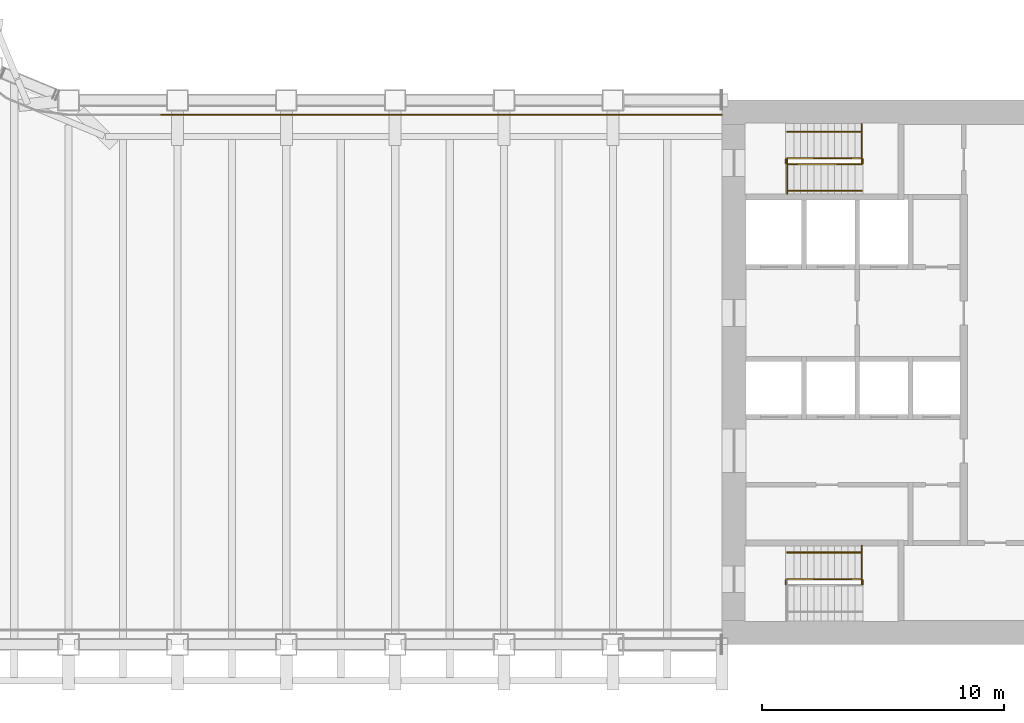
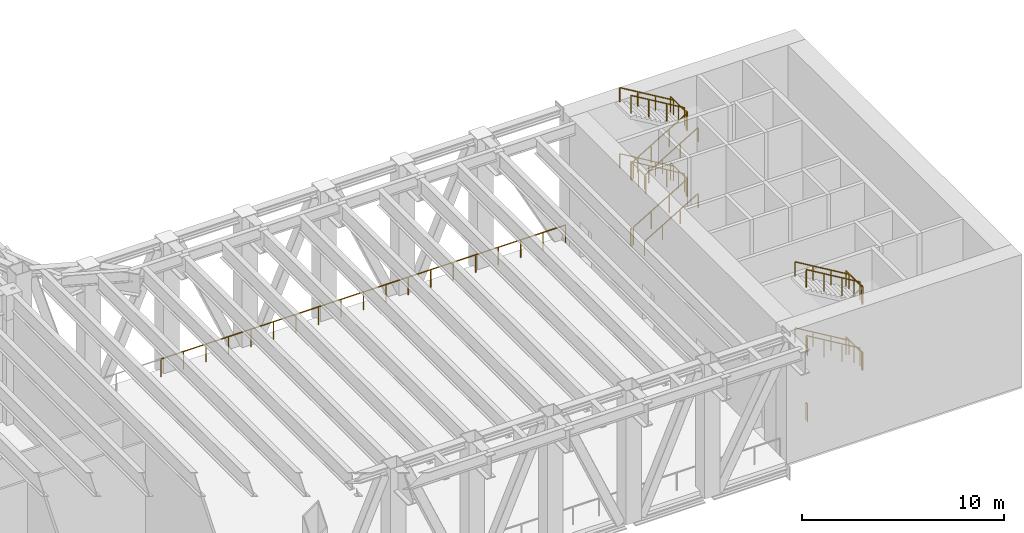
# One storey, part 15 of 16: 31 railings.
"""IFC4 building model written with IfcOpenShell, lengths in metres."""

import ifcopenshell
import ifcopenshell.guid

model = None  # the IFC model being written
_history = None  # IfcOwnerHistory: only IFC2X3 demands one
_inside = {}  # id of a spatial element -> (the spatial element, [elements in it])
_under = {}  # id of a project, library or spatial element -> (it, [spatial elements below it])
_declared = {}  # id of a project -> (the project, [libraries it declares])
_typed = {}  # id of a type object -> (the type object, [elements of that type])
_made_of = {}  # id of a material, layer set ... -> (it, [elements and type objects made of it])


def new_model(schema):
    """Start an empty IFC model of exactly this schema.

    Asked for "IFC4X3", IfcOpenShell would pick the latest addendum, in which some entities
    have other attributes; the version numbers below select the first issue.
    IFC2X3 requires an IfcOwnerHistory on every rooted entity: one is made here for all.
    """
    global model, _history
    if schema == "IFC4X3":
        model = ifcopenshell.file(schema_version=(4, 3, 0, 0))
    else:
        model = ifcopenshell.file(schema=schema)
    _inside.clear()
    _under.clear()
    _declared.clear()
    _typed.clear()
    _made_of.clear()
    _history = None
    if model.schema == "IFC2X3":
        org = make("IfcOrganization", Name="unknown")
        user = make(
            "IfcPersonAndOrganization",
            ThePerson=make("IfcPerson", FamilyName="unknown"),
            TheOrganization=org,
        )
        app = make(
            "IfcApplication",
            ApplicationDeveloper=org,
            Version="unknown",
            ApplicationFullName="unknown",
            ApplicationIdentifier="unknown",
        )
        _history = make(
            "IfcOwnerHistory",
            OwningUser=user,
            OwningApplication=app,
            ChangeAction="ADDED",
            CreationDate=0,
        )
    return model


def make(cls, **values):
    """One entity of the class cls with the attributes given. An attribute that is None is left unset."""
    return model.create_entity(
        cls, **{name: value for name, value in values.items() if value is not None}
    )


def rooted(cls, **values):
    """An entity with a GlobalId (a new one), such as an element, a storey or a relation."""
    return make(cls, GlobalId=ifcopenshell.guid.new(), OwnerHistory=_history, **values)


def si_unit(unit_type, name, prefix=None):
    """IfcSIUnit, for example si_unit("LENGTHUNIT", "METRE", prefix="MILLI")."""
    return make("IfcSIUnit", UnitType=unit_type, Prefix=prefix, Name=name)


def assignment(units):
    """IfcUnitAssignment: the units of a project."""
    return None if units is None else make("IfcUnitAssignment", Units=units)


def point(xyz):
    """IfcCartesianPoint."""
    return None if xyz is None else make("IfcCartesianPoint", Coordinates=xyz)


def direction(xyz):
    """IfcDirection."""
    return None if xyz is None else make("IfcDirection", DirectionRatios=xyz)


def frame(location, z_axis=None, x_axis=None):
    """IfcAxis2Placement3D, a coordinate frame: its origin and axes. An axis left out is left unset."""
    return make(
        "IfcAxis2Placement3D",
        Location=point(location),
        Axis=direction(z_axis),
        RefDirection=direction(x_axis),
    )


def frame_2d(location, x_axis=None):
    """IfcAxis2Placement2D, a coordinate frame in the plane: its origin and x axis."""
    return make(
        "IfcAxis2Placement2D", Location=point(location), RefDirection=direction(x_axis)
    )


def origin():
    """The frame at (0, 0, 0) with its axes left unset."""
    return frame((0.0, 0.0, 0.0))


def origin_2d():
    """The frame at (0, 0) in the plane with its x axis left unset."""
    return frame_2d((0.0, 0.0))


def place(relative_to, where):
    """IfcLocalPlacement: puts the frame where relative to a parent placement (None: the world)."""
    return make(
        "IfcLocalPlacement", PlacementRelTo=relative_to, RelativePlacement=where
    )


def context(
    kind, dimensions, precision=None, world=None, true_north=None, identifier=None
):
    """IfcGeometricRepresentationContext, for example the 3D "Model" context."""
    return make(
        "IfcGeometricRepresentationContext",
        ContextIdentifier=identifier,
        ContextType=kind,
        CoordinateSpaceDimension=dimensions,
        Precision=precision,
        WorldCoordinateSystem=world,
        TrueNorth=true_north,
    )


def subcontext(parent, identifier, kind, view, scale=None):
    """IfcGeometricRepresentationSubContext, for example "Body" below "Model"."""
    return make(
        "IfcGeometricRepresentationSubContext",
        ContextIdentifier=identifier,
        ContextType=kind,
        ParentContext=parent,
        TargetScale=scale,
        TargetView=view,
    )


def project(units=None, contexts=None):
    """IfcProject with its units and contexts."""
    return rooted(
        "IfcProject",
        Name="project",
        RepresentationContexts=contexts,
        UnitsInContext=assignment(units),
    )


def spatial(cls, under=None, at=None, **own):
    """A site, building, storey or space (cls), placed at a placement, below another one or the project."""
    s = rooted(cls, ObjectPlacement=at, **own)
    if under is not None:
        _under.setdefault(under.id(), (under, []))[1].append(s)
    return s


def profile(cls, at=None, kind="AREA", **sizes):
    """A parametric profile (cls). Its sizes go by their IFC names, for example OverallWidth=200.0."""
    return make(cls, ProfileType=kind, Position=at, **sizes)


def rectangle(**sizes):
    """IfcRectangleProfileDef."""
    return profile("IfcRectangleProfileDef", **sizes)


def extrude(swept, where, along, depth):
    """IfcExtrudedAreaSolid: the profile swept, set in the frame where, extruded along a direction by depth."""
    return make(
        "IfcExtrudedAreaSolid",
        SweptArea=swept,
        Position=where,
        ExtrudedDirection=direction(along),
        Depth=depth,
    )


def shape(context_of_items, identifier, shape_type, items):
    """IfcShapeRepresentation: the items that make up one representation, for example the "Body"."""
    return make(
        "IfcShapeRepresentation",
        ContextOfItems=context_of_items,
        RepresentationIdentifier=identifier,
        RepresentationType=shape_type,
        Items=items,
    )


def material(Name=None, Category=None):
    """IfcMaterial."""
    return make("IfcMaterial", Name=Name, Category=Category)


def made_of(thing, what):
    """Note that an element or type object is made of a material, layer set ...; save() writes the relation."""
    if what is not None:
        _made_of.setdefault(what.id(), (what, []))[1].append(thing)
    return thing


def type_object(cls, material=None, **own):
    """A type object (cls), such as IfcWallType, which elements share."""
    return made_of(rooted(cls, **own), material)


def element(
    cls,
    number,
    at=None,
    inside=None,
    cuts=None,
    type_object=None,
    material=None,
    context=None,
    identifier="Body",
    shape_type=None,
    held_by="IfcProductDefinitionShape",
    body=None,
    shapes=None,
    **own,
):
    """One element of the class cls, such as IfcWall. Its Tag is "e" and its number.

    at: its placement. inside: the storey or other place that contains it. cuts: it is an
    opening in that element (IfcRelVoidsElement). A single representation is given by context,
    identifier, shape_type and body (its items); several are given by shapes. held_by: the class
    of the entity that holds the representations. save() writes the other relations.
    """
    e = rooted(cls, Tag="e%d" % number, ObjectPlacement=at, **own)
    if body is not None:
        shapes = [shape(context, identifier, shape_type, body)]
    if shapes is not None:
        e.Representation = make(held_by, Representations=shapes)
    if inside is not None:
        _inside.setdefault(inside.id(), (inside, []))[1].append(e)
    if cuts is not None:
        rooted(
            "IfcRelVoidsElement", RelatingBuildingElement=cuts, RelatedOpeningElement=e
        )
    if type_object is not None:
        _typed.setdefault(type_object.id(), (type_object, []))[1].append(e)
    return made_of(e, material)


def aggregate(whole, parts):
    """IfcRelAggregates: a whole, such as a stair, and the parts it consists of."""
    return rooted("IfcRelAggregates", RelatingObject=whole, RelatedObjects=parts)


def save(model, path):
    """Write the relations noted so far, then the file.

    IfcRelAggregates (storeys below a building ...), IfcRelContainedInSpatialStructure (elements
    in a storey), IfcRelDefinesByType, IfcRelAssociatesMaterial and IfcRelDeclares: one each for
    every whole, place, type object, material and project.
    """
    for whole, parts in _under.values():
        aggregate(whole, parts)
    for where, things in _inside.values():
        rooted(
            "IfcRelContainedInSpatialStructure",
            RelatedElements=things,
            RelatingStructure=where,
        )
    for kind, things in _typed.values():
        rooted("IfcRelDefinesByType", RelatedObjects=things, RelatingType=kind)
    for what, things in _made_of.values():
        rooted("IfcRelAssociatesMaterial", RelatedObjects=things, RelatingMaterial=what)
    for by, libraries in _declared.values():
        rooted("IfcRelDeclares", RelatingContext=by, RelatedDefinitions=libraries)
    model.write(path)


model = new_model("IFC4")

# Units and contexts
model_context = context("Model", 3, precision=1e-05, world=origin(), true_north=direction((0.0, 1.0)))
body_context = subcontext(model_context, "Body", "Model", "MODEL_VIEW")
ifc_project = project(units=[si_unit("LENGTHUNIT", "METRE"), si_unit("AREAUNIT", "SQUARE_METRE"), si_unit("VOLUMEUNIT", "CUBIC_METRE"), si_unit("PLANEANGLEUNIT", "RADIAN"), si_unit("MASSUNIT", "GRAM", prefix="KILO")], contexts=[model_context])

# Site, building, storey
site_placement = place(None, origin())
site = spatial("IfcSite", under=ifc_project, at=site_placement, CompositionType="ELEMENT")
building_placement = place(site_placement, origin())
building = spatial("IfcBuilding", under=site, at=building_placement, Name="Sennacour Bend Tower", CompositionType="ELEMENT")
storey_placement = place(building_placement, frame((0.0, 0.0, 187.0)))
storey = spatial("IfcBuildingStorey", under=building, at=storey_placement, Name="L43", CompositionType="ELEMENT", Elevation=187.0)

# Railings
ifc_material_1 = material(Name="Stainless steel 316", Category="steel")
railing_type_1 = type_object("IfcRailingType", Name="GUARD 1100", PredefinedType="GUARDRAIL", material=ifc_material_1)
railing_1_placement = place(storey_placement, frame((30.8232421875, 21.89990234375, 0.0)))
element("IfcRailing", 1, at=railing_1_placement, inside=storey, type_object=railing_type_1, Name="Guard L43", PredefinedType="GUARDRAIL", context=body_context, shape_type="SweptSolid", body=[
    extrude(rectangle(XDim=0.048095703125, YDim=0.048095703125, at=origin_2d()), frame((0.0, 0.0, 1.076171875), z_axis=(1.0, 0.0, 0.0), x_axis=(0.0, 1.0, 0.0)), (0.0, 0.0, 1.0), 3.862548828125),
    extrude(rectangle(XDim=0.0419921875, YDim=0.0419921875, at=origin_2d()), origin(), (0.0, 0.0, 1.0), 1.052001953125),
    extrude(rectangle(XDim=0.0419921875, YDim=0.0419921875, at=origin_2d()), frame((1.28759765625, 0.0, 0.0)), (0.0, 0.0, 1.0), 1.052001953125),
    extrude(rectangle(XDim=0.0419921875, YDim=0.0419921875, at=origin_2d()), frame((2.574951171875, 0.0, 0.0)), (0.0, 0.0, 1.0), 1.052001953125),
    extrude(rectangle(XDim=0.0419921875, YDim=0.0419921875, at=origin_2d()), frame((3.862548828125, 0.0, 0.0)), (0.0, 0.0, 1.0), 1.052001953125),
])
railing_2_placement = place(storey_placement, frame((34.685791015625, 21.89990234375, 0.0)))
element("IfcRailing", 2, at=railing_2_placement, inside=storey, type_object=railing_type_1, Name="Guard L43", PredefinedType="GUARDRAIL", context=body_context, shape_type="SweptSolid", body=[
    extrude(rectangle(XDim=0.048095703125, YDim=0.048095703125, at=origin_2d()), frame((0.0, 0.0, 1.076171875), z_axis=(1.0, 0.0, 0.0), x_axis=(0.0, 1.0, 0.0)), (0.0, 0.0, 1.0), 3.86279296875),
    extrude(rectangle(XDim=0.0419921875, YDim=0.0419921875, at=origin_2d()), origin(), (0.0, 0.0, 1.0), 1.052001953125),
    extrude(rectangle(XDim=0.0419921875, YDim=0.0419921875, at=origin_2d()), frame((1.28759765625, 0.0, 0.0)), (0.0, 0.0, 1.0), 1.052001953125),
    extrude(rectangle(XDim=0.0419921875, YDim=0.0419921875, at=origin_2d()), frame((2.5751953125, 0.0, 0.0)), (0.0, 0.0, 1.0), 1.052001953125),
    extrude(rectangle(XDim=0.0419921875, YDim=0.0419921875, at=origin_2d()), frame((3.86279296875, 0.0, 0.0)), (0.0, 0.0, 1.0), 1.052001953125),
])
for number, where, name in (
    (3, (38.548583984375, 21.89990234375, 0.0), "Guard L43"),
    (4, (42.4111328125, 21.89990234375, 0.0), "Guard L43"),
):
    element("IfcRailing", number, at=place(storey_placement, frame(where)), inside=storey, type_object=railing_type_1, Name=name, PredefinedType="GUARDRAIL", context=body_context, shape_type="SweptSolid", body=[
        extrude(rectangle(XDim=0.048095703125, YDim=0.048095703125, at=origin_2d()), frame((0.0, 0.0, 1.076171875), z_axis=(1.0, 0.0, 0.0), x_axis=(0.0, 1.0, 0.0)), (0.0, 0.0, 1.0), 3.862548828125),
        extrude(rectangle(XDim=0.0419921875, YDim=0.0419921875, at=origin_2d()), origin(), (0.0, 0.0, 1.0), 1.052001953125),
        extrude(rectangle(XDim=0.0419921875, YDim=0.0419921875, at=origin_2d()), frame((1.28759765625, 0.0, 0.0)), (0.0, 0.0, 1.0), 1.052001953125),
        extrude(rectangle(XDim=0.0419921875, YDim=0.0419921875, at=origin_2d()), frame((2.574951171875, 0.0, 0.0)), (0.0, 0.0, 1.0), 1.052001953125),
        extrude(rectangle(XDim=0.0419921875, YDim=0.0419921875, at=origin_2d()), frame((3.862548828125, 0.0, 0.0)), (0.0, 0.0, 1.0), 1.052001953125),
    ])
railing_3_placement = place(storey_placement, frame((46.273681640625, 21.89990234375, 0.0)))
element("IfcRailing", 5, at=railing_3_placement, inside=storey, type_object=railing_type_1, Name="Guard L43", PredefinedType="GUARDRAIL", context=body_context, shape_type="SweptSolid", body=[
    extrude(rectangle(XDim=0.048095703125, YDim=0.048095703125, at=origin_2d()), frame((0.0, 0.0, 1.076171875), z_axis=(1.0, 0.0, 0.0), x_axis=(0.0, 1.0, 0.0)), (0.0, 0.0, 1.0), 3.86279296875),
    extrude(rectangle(XDim=0.0419921875, YDim=0.0419921875, at=origin_2d()), origin(), (0.0, 0.0, 1.0), 1.052001953125),
    extrude(rectangle(XDim=0.0419921875, YDim=0.0419921875, at=origin_2d()), frame((1.28759765625, 0.0, 0.0)), (0.0, 0.0, 1.0), 1.052001953125),
    extrude(rectangle(XDim=0.0419921875, YDim=0.0419921875, at=origin_2d()), frame((2.5751953125, 0.0, 0.0)), (0.0, 0.0, 1.0), 1.052001953125),
    extrude(rectangle(XDim=0.0419921875, YDim=0.0419921875, at=origin_2d()), frame((3.86279296875, 0.0, 0.0)), (0.0, 0.0, 1.0), 1.052001953125),
])
railing_4_placement = place(storey_placement, frame((50.136474609375, 21.89990234375, 0.0)))
element("IfcRailing", 6, at=railing_4_placement, inside=storey, type_object=railing_type_1, Name="Guard L43", PredefinedType="GUARDRAIL", context=body_context, shape_type="SweptSolid", body=[
    extrude(rectangle(XDim=0.048095703125, YDim=0.048095703125, at=origin_2d()), frame((0.0, 0.0, 1.076171875), z_axis=(1.0, 0.0, 0.0), x_axis=(0.0, 1.0, 0.0)), (0.0, 0.0, 1.0), 3.862548828125),
    extrude(rectangle(XDim=0.0419921875, YDim=0.0419921875, at=origin_2d()), origin(), (0.0, 0.0, 1.0), 1.052001953125),
    extrude(rectangle(XDim=0.0419921875, YDim=0.0419921875, at=origin_2d()), frame((1.28759765625, 0.0, 0.0)), (0.0, 0.0, 1.0), 1.052001953125),
    extrude(rectangle(XDim=0.0419921875, YDim=0.0419921875, at=origin_2d()), frame((2.574951171875, 0.0, 0.0)), (0.0, 0.0, 1.0), 1.052001953125),
    extrude(rectangle(XDim=0.0419921875, YDim=0.0419921875, at=origin_2d()), frame((3.862548828125, 0.0, 0.0)), (0.0, 0.0, 1.0), 1.052001953125),
])
ifc_material_2 = material(Name="Stainless steel", Category="steel")
railing_type_2 = type_object("IfcRailingType", Name="RL-GUARD-1100", PredefinedType="GUARDRAIL", material=ifc_material_2)
railing_5_placement = place(storey_placement, frame((59.830078125, 2.5, 2.0)))
element("IfcRailing", 7, at=railing_5_placement, inside=storey, type_object=railing_type_2, Name="L43 SA1 stair guard 2", PredefinedType="GUARDRAIL", context=body_context, shape_type="SweptSolid", body=[
    extrude(rectangle(XDim=0.048095703125, YDim=0.048095703125, at=origin_2d()), frame((0.0, 0.0, 1.076171875), z_axis=(0.0, 1.0, 0.0), x_axis=(-1.0, 0.0, 0.0)), (0.0, 0.0, 1.0), 0.14990234375),
    extrude(rectangle(XDim=0.0419921875, YDim=0.0419921875, at=origin_2d()), origin(), (0.0, 0.0, 1.0), 1.052001953125),
    extrude(rectangle(XDim=0.0419921875, YDim=0.0419921875, at=origin_2d()), frame((0.0, 0.14990234375, 0.0)), (0.0, 0.0, 1.0), 1.052001953125),
])
railing_6_placement = place(storey_placement, frame((59.780029296875, 2.699951171875, 2.166748046875)))
element("IfcRailing", 8, at=railing_6_placement, inside=storey, type_object=railing_type_2, Name="L43 SA1 stair guard 4", PredefinedType="GUARDRAIL", context=body_context, shape_type="SweptSolid", body=[
    extrude(rectangle(XDim=0.048095703125, YDim=0.048095703125, at=origin_2d()), frame((0.0, 0.0, 1.076171875), z_axis=(-0.859308565015, 0.0, 0.511457515432), x_axis=(0.0, -1.0, 0.0)), (0.0, 0.0, 1.0), 3.58447265625),
    extrude(rectangle(XDim=0.0419921875, YDim=0.0419921875, at=origin_2d()), origin(), (0.0, 0.0, 1.0), 1.052001953125),
    extrude(rectangle(XDim=0.0419921875, YDim=0.0419921875, at=origin_2d()), frame((-1.026611328125, 0.0, 0.611083984375)), (0.0, 0.0, 1.0), 1.052001953125),
    extrude(rectangle(XDim=0.0419921875, YDim=0.0419921875, at=origin_2d()), frame((-2.053466796875, 0.0, 1.22216796875)), (0.0, 0.0, 1.0), 1.052001953125),
    extrude(rectangle(XDim=0.0419921875, YDim=0.0419921875, at=origin_2d()), frame((-3.080078125, 0.0, 1.833251953125)), (0.0, 0.0, 1.0), 1.052001953125),
])
for number, where, name in (
    (9, (56.64990234375, 2.5, 4.0), "L43 SA1 stair guard 5"),
    (10, (59.830078125, 2.5, 6.0), "L43 SA1 stair guard 9"),
):
    element("IfcRailing", number, at=place(storey_placement, frame(where)), inside=storey, type_object=railing_type_2, Name=name, PredefinedType="GUARDRAIL", context=body_context, shape_type="SweptSolid", body=[
        extrude(rectangle(XDim=0.048095703125, YDim=0.048095703125, at=origin_2d()), frame((0.0, 0.0, 1.076171875), z_axis=(0.0, 1.0, 0.0), x_axis=(-1.0, 0.0, 0.0)), (0.0, 0.0, 1.0), 0.14990234375),
        extrude(rectangle(XDim=0.0419921875, YDim=0.0419921875, at=origin_2d()), origin(), (0.0, 0.0, 1.0), 1.052001953125),
        extrude(rectangle(XDim=0.0419921875, YDim=0.0419921875, at=origin_2d()), frame((0.0, 0.14990234375, 0.0)), (0.0, 0.0, 1.0), 1.052001953125),
    ])
railing_7_placement = place(storey_placement, frame((59.780029296875, 2.699951171875, 6.166748046875)))
element("IfcRailing", 11, at=railing_7_placement, inside=storey, type_object=railing_type_2, Name="L43 SA1 stair guard 11", PredefinedType="GUARDRAIL", context=body_context, shape_type="SweptSolid", body=[
    extrude(rectangle(XDim=0.048095703125, YDim=0.048095703125, at=origin_2d()), frame((0.0, 0.0, 1.076171875), z_axis=(-0.859308565015, 0.0, 0.511457515432), x_axis=(0.0, -1.0, 0.0)), (0.0, 0.0, 1.0), 3.58447265625),
    extrude(rectangle(XDim=0.0419921875, YDim=0.0419921875, at=origin_2d()), origin(), (0.0, 0.0, 1.0), 1.052001953125),
    extrude(rectangle(XDim=0.0419921875, YDim=0.0419921875, at=origin_2d()), frame((-1.026611328125, 0.0, 0.611083984375)), (0.0, 0.0, 1.0), 1.052001953125),
    extrude(rectangle(XDim=0.0419921875, YDim=0.0419921875, at=origin_2d()), frame((-2.053466796875, 0.0, 1.22216796875)), (0.0, 0.0, 1.0), 1.052001953125),
    extrude(rectangle(XDim=0.0419921875, YDim=0.0419921875, at=origin_2d()), frame((-3.080078125, 0.0, 1.833251953125)), (0.0, 0.0, 1.0), 1.052001953125),
])
railing_8_placement = place(storey_placement, frame((56.64990234375, 2.5, 0.0)))
element("IfcRailing", 12, at=railing_8_placement, inside=storey, type_object=railing_type_2, Name="L43 SA1 stair guard 12", PredefinedType="GUARDRAIL", context=body_context, shape_type="SweptSolid", body=[
    extrude(rectangle(XDim=0.048095703125, YDim=0.048095703125, at=origin_2d()), frame((0.0, 0.0, 1.076171875), z_axis=(0.0, 1.0, 0.0), x_axis=(-1.0, 0.0, 0.0)), (0.0, 0.0, 1.0), 0.14990234375),
    extrude(rectangle(XDim=0.0419921875, YDim=0.0419921875, at=origin_2d()), origin(), (0.0, 0.0, 1.0), 1.052001953125),
    extrude(rectangle(XDim=0.0419921875, YDim=0.0419921875, at=origin_2d()), frame((0.0, 0.14990234375, 0.0)), (0.0, 0.0, 1.0), 1.052001953125),
])
for number, where, name in (
    (13, (59.780029296875, 2.5, 2.0), "L43 SA1 landing edge guard 63"),
    (14, (59.780029296875, 2.5, 6.0), "L43 SA1 landing edge guard 65"),
):
    element("IfcRailing", number, at=place(storey_placement, frame(where)), inside=storey, type_object=railing_type_2, Name=name, PredefinedType="GUARDRAIL", context=body_context, shape_type="SweptSolid", body=[
        extrude(rectangle(XDim=0.048095703125, YDim=0.048095703125, at=origin_2d()), frame((0.0, 0.0, 1.076171875), z_axis=(0.0, 1.0, 0.0), x_axis=(-1.0, 0.0, 0.0)), (0.0, 0.0, 1.0), 1.574951171875),
        extrude(rectangle(XDim=0.0419921875, YDim=0.0419921875, at=origin_2d()), origin(), (0.0, 0.0, 1.0), 1.052001953125),
        extrude(rectangle(XDim=0.0419921875, YDim=0.0419921875, at=origin_2d()), frame((0.0, 0.78759765625, 0.0)), (0.0, 0.0, 1.0), 1.052001953125),
        extrude(rectangle(XDim=0.0419921875, YDim=0.0419921875, at=origin_2d()), frame((0.0, 1.574951171875, 0.0)), (0.0, 0.0, 1.0), 1.052001953125),
    ])
railing_9_placement = place(storey_placement, frame((56.699951171875, 19.85009765625, 0.166748046875)))
element("IfcRailing", 15, at=railing_9_placement, inside=storey, type_object=railing_type_2, Name="L43 SA2 stair guard 1", PredefinedType="GUARDRAIL", context=body_context, shape_type="SweptSolid", body=[
    extrude(rectangle(XDim=0.048095703125, YDim=0.048095703125, at=origin_2d()), frame((0.0, 0.0, 1.076171875), z_axis=(0.859308565015, 0.0, 0.511457515432), x_axis=(0.0, 1.0, 0.0)), (0.0, 0.0, 1.0), 3.58447265625),
    extrude(rectangle(XDim=0.0419921875, YDim=0.0419921875, at=origin_2d()), origin(), (0.0, 0.0, 1.0), 1.052001953125),
    extrude(rectangle(XDim=0.0419921875, YDim=0.0419921875, at=origin_2d()), frame((1.026611328125, 0.0, 0.611083984375)), (0.0, 0.0, 1.0), 1.052001953125),
    extrude(rectangle(XDim=0.0419921875, YDim=0.0419921875, at=origin_2d()), frame((2.053466796875, 0.0, 1.22216796875)), (0.0, 0.0, 1.0), 1.052001953125),
    extrude(rectangle(XDim=0.0419921875, YDim=0.0419921875, at=origin_2d()), frame((3.080078125, 0.0, 1.833251953125)), (0.0, 0.0, 1.0), 1.052001953125),
])
railing_10_placement = place(storey_placement, frame((59.830078125, 19.89990234375, 2.0)))
element("IfcRailing", 16, at=railing_10_placement, inside=storey, type_object=railing_type_2, Name="L43 SA2 stair guard 2", PredefinedType="GUARDRAIL", context=body_context, shape_type="SweptSolid", body=[
    extrude(rectangle(XDim=0.048095703125, YDim=0.048095703125, at=origin_2d()), frame((0.0, 0.0, 1.076171875), z_axis=(0.0, 1.0, 0.0), x_axis=(-1.0, 0.0, 0.0)), (0.0, 0.0, 1.0), 0.150146484375),
    extrude(rectangle(XDim=0.0419921875, YDim=0.0419921875, at=origin_2d()), origin(), (0.0, 0.0, 1.0), 1.052001953125),
    extrude(rectangle(XDim=0.0419921875, YDim=0.0419921875, at=origin_2d()), frame((0.0, 0.150146484375, 0.0)), (0.0, 0.0, 1.0), 1.052001953125),
])
railing_11_placement = place(storey_placement, frame((59.780029296875, 20.10009765625, 2.166748046875)))
element("IfcRailing", 17, at=railing_11_placement, inside=storey, type_object=railing_type_2, Name="L43 SA2 stair guard 4", PredefinedType="GUARDRAIL", context=body_context, shape_type="SweptSolid", body=[
    extrude(rectangle(XDim=0.048095703125, YDim=0.048095703125, at=origin_2d()), frame((0.0, 0.0, 1.076171875), z_axis=(-0.859308565015, 0.0, 0.511457515432), x_axis=(0.0, -1.0, 0.0)), (0.0, 0.0, 1.0), 3.58447265625),
    extrude(rectangle(XDim=0.0419921875, YDim=0.0419921875, at=origin_2d()), origin(), (0.0, 0.0, 1.0), 1.052001953125),
    extrude(rectangle(XDim=0.0419921875, YDim=0.0419921875, at=origin_2d()), frame((-1.026611328125, 0.0, 0.611083984375)), (0.0, 0.0, 1.0), 1.052001953125),
    extrude(rectangle(XDim=0.0419921875, YDim=0.0419921875, at=origin_2d()), frame((-2.053466796875, 0.0, 1.22216796875)), (0.0, 0.0, 1.0), 1.052001953125),
    extrude(rectangle(XDim=0.0419921875, YDim=0.0419921875, at=origin_2d()), frame((-3.080078125, 0.0, 1.833251953125)), (0.0, 0.0, 1.0), 1.052001953125),
])
railing_12_placement = place(storey_placement, frame((56.64990234375, 19.89990234375, 4.0)))
element("IfcRailing", 18, at=railing_12_placement, inside=storey, type_object=railing_type_2, Name="L43 SA2 stair guard 5", PredefinedType="GUARDRAIL", context=body_context, shape_type="SweptSolid", body=[
    extrude(rectangle(XDim=0.048095703125, YDim=0.048095703125, at=origin_2d()), frame((0.0, 0.0, 1.076171875), z_axis=(0.0, 1.0, 0.0), x_axis=(-1.0, 0.0, 0.0)), (0.0, 0.0, 1.0), 0.150146484375),
    extrude(rectangle(XDim=0.0419921875, YDim=0.0419921875, at=origin_2d()), origin(), (0.0, 0.0, 1.0), 1.052001953125),
    extrude(rectangle(XDim=0.0419921875, YDim=0.0419921875, at=origin_2d()), frame((0.0, 0.150146484375, 0.0)), (0.0, 0.0, 1.0), 1.052001953125),
])
railing_13_placement = place(storey_placement, frame((56.699951171875, 19.85009765625, 4.166748046875)))
element("IfcRailing", 19, at=railing_13_placement, inside=storey, type_object=railing_type_2, Name="L43 SA2 stair guard 8", PredefinedType="GUARDRAIL", context=body_context, shape_type="SweptSolid", body=[
    extrude(rectangle(XDim=0.048095703125, YDim=0.048095703125, at=origin_2d()), frame((0.0, 0.0, 1.076171875), z_axis=(0.859308565015, 0.0, 0.511457515432), x_axis=(0.0, 1.0, 0.0)), (0.0, 0.0, 1.0), 3.58447265625),
    extrude(rectangle(XDim=0.0419921875, YDim=0.0419921875, at=origin_2d()), origin(), (0.0, 0.0, 1.0), 1.052001953125),
    extrude(rectangle(XDim=0.0419921875, YDim=0.0419921875, at=origin_2d()), frame((1.026611328125, 0.0, 0.611083984375)), (0.0, 0.0, 1.0), 1.052001953125),
    extrude(rectangle(XDim=0.0419921875, YDim=0.0419921875, at=origin_2d()), frame((2.053466796875, 0.0, 1.22216796875)), (0.0, 0.0, 1.0), 1.052001953125),
    extrude(rectangle(XDim=0.0419921875, YDim=0.0419921875, at=origin_2d()), frame((3.080078125, 0.0, 1.833251953125)), (0.0, 0.0, 1.0), 1.052001953125),
])
railing_14_placement = place(storey_placement, frame((59.830078125, 19.89990234375, 6.0)))
element("IfcRailing", 20, at=railing_14_placement, inside=storey, type_object=railing_type_2, Name="L43 SA2 stair guard 9", PredefinedType="GUARDRAIL", context=body_context, shape_type="SweptSolid", body=[
    extrude(rectangle(XDim=0.048095703125, YDim=0.048095703125, at=origin_2d()), frame((0.0, 0.0, 1.076171875), z_axis=(0.0, 1.0, 0.0), x_axis=(-1.0, 0.0, 0.0)), (0.0, 0.0, 1.0), 0.150146484375),
    extrude(rectangle(XDim=0.0419921875, YDim=0.0419921875, at=origin_2d()), origin(), (0.0, 0.0, 1.0), 1.052001953125),
    extrude(rectangle(XDim=0.0419921875, YDim=0.0419921875, at=origin_2d()), frame((0.0, 0.150146484375, 0.0)), (0.0, 0.0, 1.0), 1.052001953125),
])
railing_15_placement = place(storey_placement, frame((59.780029296875, 20.10009765625, 6.166748046875)))
element("IfcRailing", 21, at=railing_15_placement, inside=storey, type_object=railing_type_2, Name="L43 SA2 stair guard 11", PredefinedType="GUARDRAIL", context=body_context, shape_type="SweptSolid", body=[
    extrude(rectangle(XDim=0.048095703125, YDim=0.048095703125, at=origin_2d()), frame((0.0, 0.0, 1.076171875), z_axis=(-0.859308565015, 0.0, 0.511457515432), x_axis=(0.0, -1.0, 0.0)), (0.0, 0.0, 1.0), 3.58447265625),
    extrude(rectangle(XDim=0.0419921875, YDim=0.0419921875, at=origin_2d()), origin(), (0.0, 0.0, 1.0), 1.052001953125),
    extrude(rectangle(XDim=0.0419921875, YDim=0.0419921875, at=origin_2d()), frame((-1.026611328125, 0.0, 0.611083984375)), (0.0, 0.0, 1.0), 1.052001953125),
    extrude(rectangle(XDim=0.0419921875, YDim=0.0419921875, at=origin_2d()), frame((-2.053466796875, 0.0, 1.22216796875)), (0.0, 0.0, 1.0), 1.052001953125),
    extrude(rectangle(XDim=0.0419921875, YDim=0.0419921875, at=origin_2d()), frame((-3.080078125, 0.0, 1.833251953125)), (0.0, 0.0, 1.0), 1.052001953125),
])
railing_16_placement = place(storey_placement, frame((56.64990234375, 19.89990234375, 0.0)))
element("IfcRailing", 22, at=railing_16_placement, inside=storey, type_object=railing_type_2, Name="L43 SA2 stair guard 12", PredefinedType="GUARDRAIL", context=body_context, shape_type="SweptSolid", body=[
    extrude(rectangle(XDim=0.048095703125, YDim=0.048095703125, at=origin_2d()), frame((0.0, 0.0, 1.076171875), z_axis=(0.0, 1.0, 0.0), x_axis=(-1.0, 0.0, 0.0)), (0.0, 0.0, 1.0), 0.150146484375),
    extrude(rectangle(XDim=0.0419921875, YDim=0.0419921875, at=origin_2d()), origin(), (0.0, 0.0, 1.0), 1.052001953125),
    extrude(rectangle(XDim=0.0419921875, YDim=0.0419921875, at=origin_2d()), frame((0.0, 0.150146484375, 0.0)), (0.0, 0.0, 1.0), 1.052001953125),
])
railing_17_placement = place(storey_placement, frame((59.780029296875, 19.89990234375, 2.0)))
element("IfcRailing", 23, at=railing_17_placement, inside=storey, type_object=railing_type_2, Name="L43 SA2 landing edge guard 58", PredefinedType="GUARDRAIL", context=body_context, shape_type="SweptSolid", body=[
    extrude(rectangle(XDim=0.048095703125, YDim=0.048095703125, at=origin_2d()), frame((0.0, 0.0, 1.076171875), z_axis=(0.0, 1.0, 0.0), x_axis=(-1.0, 0.0, 0.0)), (0.0, 0.0, 1.0), 1.60009765625),
    extrude(rectangle(XDim=0.0419921875, YDim=0.0419921875, at=origin_2d()), origin(), (0.0, 0.0, 1.0), 1.052001953125),
    extrude(rectangle(XDim=0.0419921875, YDim=0.0419921875, at=origin_2d()), frame((0.0, 0.800048828125, 0.0)), (0.0, 0.0, 1.0), 1.052001953125),
    extrude(rectangle(XDim=0.0419921875, YDim=0.0419921875, at=origin_2d()), frame((0.0, 1.60009765625, 0.0)), (0.0, 0.0, 1.0), 1.052001953125),
])
railing_18_placement = place(storey_placement, frame((56.699951171875, 20.050048828125, 4.0)))
element("IfcRailing", 24, at=railing_18_placement, inside=storey, type_object=railing_type_2, Name="L43 SA2 landing edge guard 59", PredefinedType="GUARDRAIL", context=body_context, shape_type="SweptSolid", body=[
    extrude(rectangle(XDim=0.048095703125, YDim=0.048095703125, at=origin_2d()), frame((0.0, 0.0, 1.076171875), z_axis=(0.0, -1.0, 0.0), x_axis=(1.0, 0.0, 0.0)), (0.0, 0.0, 1.0), 1.425048828125),
    extrude(rectangle(XDim=0.0419921875, YDim=0.0419921875, at=origin_2d()), origin(), (0.0, 0.0, 1.0), 1.052001953125),
    extrude(rectangle(XDim=0.0419921875, YDim=0.0419921875, at=origin_2d()), frame((0.0, -0.71240234375, 0.0)), (0.0, 0.0, 1.0), 1.052001953125),
    extrude(rectangle(XDim=0.0419921875, YDim=0.0419921875, at=origin_2d()), frame((0.0, -1.425048828125, 0.0)), (0.0, 0.0, 1.0), 1.052001953125),
])
railing_19_placement = place(storey_placement, frame((59.780029296875, 19.89990234375, 6.0)))
element("IfcRailing", 25, at=railing_19_placement, inside=storey, type_object=railing_type_2, Name="L43 SA2 landing edge guard 60", PredefinedType="GUARDRAIL", context=body_context, shape_type="SweptSolid", body=[
    extrude(rectangle(XDim=0.048095703125, YDim=0.048095703125, at=origin_2d()), frame((0.0, 0.0, 1.076171875), z_axis=(0.0, 1.0, 0.0), x_axis=(-1.0, 0.0, 0.0)), (0.0, 0.0, 1.0), 1.60009765625),
    extrude(rectangle(XDim=0.0419921875, YDim=0.0419921875, at=origin_2d()), origin(), (0.0, 0.0, 1.0), 1.052001953125),
    extrude(rectangle(XDim=0.0419921875, YDim=0.0419921875, at=origin_2d()), frame((0.0, 0.800048828125, 0.0)), (0.0, 0.0, 1.0), 1.052001953125),
    extrude(rectangle(XDim=0.0419921875, YDim=0.0419921875, at=origin_2d()), frame((0.0, 1.60009765625, 0.0)), (0.0, 0.0, 1.0), 1.052001953125),
])
railing_type_3 = type_object("IfcRailingType", Name="RL-HANDRAIL-900", PredefinedType="HANDRAIL", material=ifc_material_2)
for number, where, name in (
    (26, (59.780029296875, 3.800048828125, 2.166748046875), "L43 SA1 stair handrail 2"),
    (27, (59.780029296875, 3.800048828125, 6.166748046875), "L43 SA1 stair handrail 4"),
):
    element("IfcRailing", number, at=place(storey_placement, frame(where)), inside=storey, type_object=railing_type_3, Name=name, PredefinedType="HANDRAIL", context=body_context, shape_type="SweptSolid", body=[
        extrude(rectangle(XDim=0.048095703125, YDim=0.048095703125, at=origin_2d()), frame((0.0, 0.0, 0.8759765625), z_axis=(-0.859308565015, 0.0, 0.511457515432), x_axis=(0.0, -1.0, 0.0)), (0.0, 0.0, 1.0), 3.58447265625),
        extrude(rectangle(XDim=0.0419921875, YDim=0.0419921875, at=origin_2d()), origin(), (0.0, 0.0, 1.0), 0.851806640625),
        extrude(rectangle(XDim=0.0419921875, YDim=0.0419921875, at=origin_2d()), frame((-1.026611328125, 0.0, 0.611083984375)), (0.0, 0.0, 1.0), 0.851806640625),
        extrude(rectangle(XDim=0.0419921875, YDim=0.0419921875, at=origin_2d()), frame((-2.053466796875, 0.0, 1.22216796875)), (0.0, 0.0, 1.0), 0.851806640625),
        extrude(rectangle(XDim=0.0419921875, YDim=0.0419921875, at=origin_2d()), frame((-3.080078125, 0.0, 1.833251953125)), (0.0, 0.0, 1.0), 0.851806640625),
    ])
railing_20_placement = place(storey_placement, frame((56.699951171875, 18.75, 0.166748046875)))
element("IfcRailing", 28, at=railing_20_placement, inside=storey, type_object=railing_type_3, Name="L43 SA2 stair handrail 1", PredefinedType="HANDRAIL", context=body_context, shape_type="SweptSolid", body=[
    extrude(rectangle(XDim=0.048095703125, YDim=0.048095703125, at=origin_2d()), frame((0.0, 0.0, 0.8759765625), z_axis=(0.859308565015, 0.0, 0.511457515432), x_axis=(0.0, 1.0, 0.0)), (0.0, 0.0, 1.0), 3.58447265625),
    extrude(rectangle(XDim=0.0419921875, YDim=0.0419921875, at=origin_2d()), origin(), (0.0, 0.0, 1.0), 0.851806640625),
    extrude(rectangle(XDim=0.0419921875, YDim=0.0419921875, at=origin_2d()), frame((1.026611328125, 0.0, 0.611083984375)), (0.0, 0.0, 1.0), 0.851806640625),
    extrude(rectangle(XDim=0.0419921875, YDim=0.0419921875, at=origin_2d()), frame((2.053466796875, 0.0, 1.22216796875)), (0.0, 0.0, 1.0), 0.851806640625),
    extrude(rectangle(XDim=0.0419921875, YDim=0.0419921875, at=origin_2d()), frame((3.080078125, 0.0, 1.833251953125)), (0.0, 0.0, 1.0), 0.851806640625),
])
railing_21_placement = place(storey_placement, frame((59.780029296875, 21.199951171875, 2.166748046875)))
element("IfcRailing", 29, at=railing_21_placement, inside=storey, type_object=railing_type_3, Name="L43 SA2 stair handrail 2", PredefinedType="HANDRAIL", context=body_context, shape_type="SweptSolid", body=[
    extrude(rectangle(XDim=0.048095703125, YDim=0.048095703125, at=origin_2d()), frame((0.0, 0.0, 0.8759765625), z_axis=(-0.859308565015, 0.0, 0.511457515432), x_axis=(0.0, -1.0, 0.0)), (0.0, 0.0, 1.0), 3.58447265625),
    extrude(rectangle(XDim=0.0419921875, YDim=0.0419921875, at=origin_2d()), origin(), (0.0, 0.0, 1.0), 0.851806640625),
    extrude(rectangle(XDim=0.0419921875, YDim=0.0419921875, at=origin_2d()), frame((-1.026611328125, 0.0, 0.611083984375)), (0.0, 0.0, 1.0), 0.851806640625),
    extrude(rectangle(XDim=0.0419921875, YDim=0.0419921875, at=origin_2d()), frame((-2.053466796875, 0.0, 1.22216796875)), (0.0, 0.0, 1.0), 0.851806640625),
    extrude(rectangle(XDim=0.0419921875, YDim=0.0419921875, at=origin_2d()), frame((-3.080078125, 0.0, 1.833251953125)), (0.0, 0.0, 1.0), 0.851806640625),
])
railing_22_placement = place(storey_placement, frame((56.699951171875, 18.75, 4.166748046875)))
element("IfcRailing", 30, at=railing_22_placement, inside=storey, type_object=railing_type_3, Name="L43 SA2 stair handrail 3", PredefinedType="HANDRAIL", context=body_context, shape_type="SweptSolid", body=[
    extrude(rectangle(XDim=0.048095703125, YDim=0.048095703125, at=origin_2d()), frame((0.0, 0.0, 0.8759765625), z_axis=(0.859308565015, 0.0, 0.511457515432), x_axis=(0.0, 1.0, 0.0)), (0.0, 0.0, 1.0), 3.58447265625),
    extrude(rectangle(XDim=0.0419921875, YDim=0.0419921875, at=origin_2d()), origin(), (0.0, 0.0, 1.0), 0.851806640625),
    extrude(rectangle(XDim=0.0419921875, YDim=0.0419921875, at=origin_2d()), frame((1.026611328125, 0.0, 0.611083984375)), (0.0, 0.0, 1.0), 0.851806640625),
    extrude(rectangle(XDim=0.0419921875, YDim=0.0419921875, at=origin_2d()), frame((2.053466796875, 0.0, 1.22216796875)), (0.0, 0.0, 1.0), 0.851806640625),
    extrude(rectangle(XDim=0.0419921875, YDim=0.0419921875, at=origin_2d()), frame((3.080078125, 0.0, 1.833251953125)), (0.0, 0.0, 1.0), 0.851806640625),
])
railing_23_placement = place(storey_placement, frame((59.780029296875, 21.199951171875, 6.166748046875)))
element("IfcRailing", 31, at=railing_23_placement, inside=storey, type_object=railing_type_3, Name="L43 SA2 stair handrail 4", PredefinedType="HANDRAIL", context=body_context, shape_type="SweptSolid", body=[
    extrude(rectangle(XDim=0.048095703125, YDim=0.048095703125, at=origin_2d()), frame((0.0, 0.0, 0.8759765625), z_axis=(-0.859308565015, 0.0, 0.511457515432), x_axis=(0.0, -1.0, 0.0)), (0.0, 0.0, 1.0), 3.58447265625),
    extrude(rectangle(XDim=0.0419921875, YDim=0.0419921875, at=origin_2d()), origin(), (0.0, 0.0, 1.0), 0.851806640625),
    extrude(rectangle(XDim=0.0419921875, YDim=0.0419921875, at=origin_2d()), frame((-1.026611328125, 0.0, 0.611083984375)), (0.0, 0.0, 1.0), 0.851806640625),
    extrude(rectangle(XDim=0.0419921875, YDim=0.0419921875, at=origin_2d()), frame((-2.053466796875, 0.0, 1.22216796875)), (0.0, 0.0, 1.0), 0.851806640625),
    extrude(rectangle(XDim=0.0419921875, YDim=0.0419921875, at=origin_2d()), frame((-3.080078125, 0.0, 1.833251953125)), (0.0, 0.0, 1.0), 0.851806640625),
])

save(model, "model.ifc")
